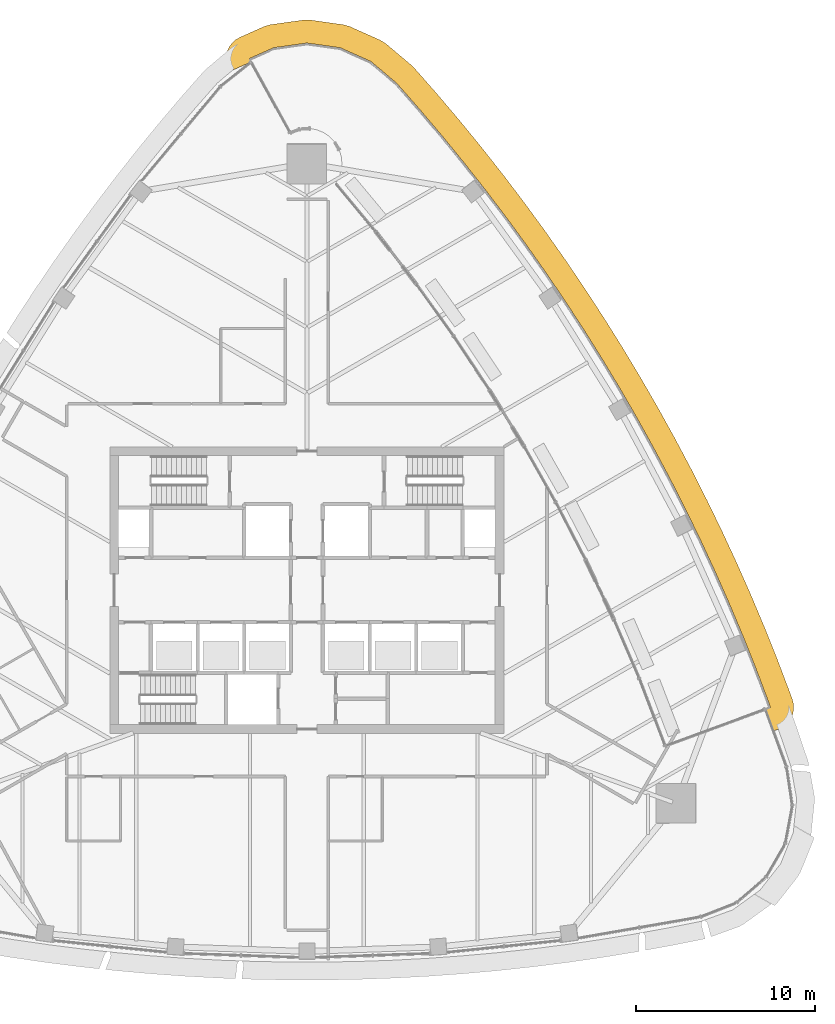
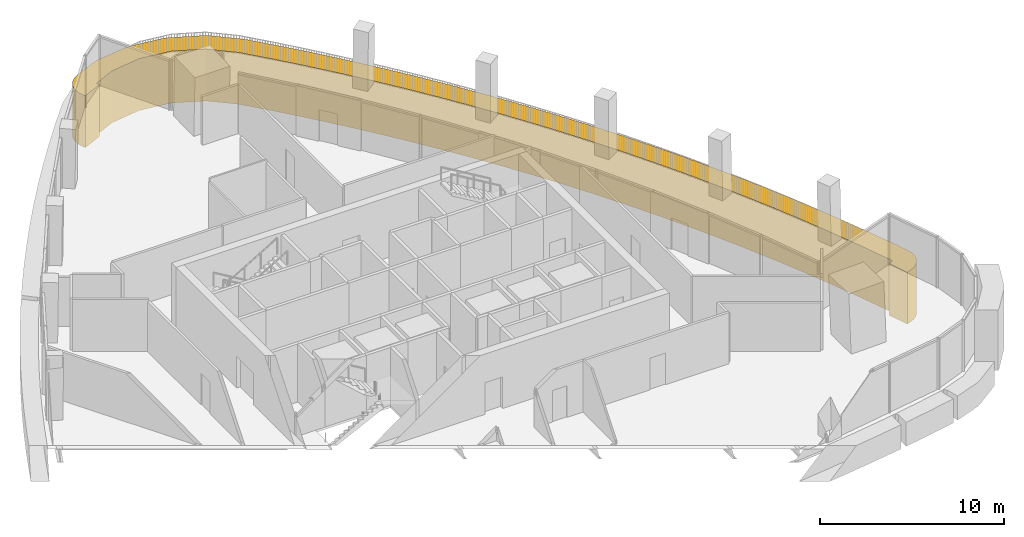
# One storey, part 17 of 18: 1 covering.
"""IFC4 building model written with IfcOpenShell, lengths in metres."""

from ifc_helpers import new_model, si_unit, direction, frame, origin, place, context, subcontext, project, spatial, polyline, outline, extrude, material, layer, layer_set, type_object, element, save


model = new_model("IFC4")

# Units and contexts
model_context = context("Model", 3, precision=1e-05, world=origin(), true_north=direction((0.0, 1.0)))
body_context = subcontext(model_context, "Body", "Model", "MODEL_VIEW")
ifc_project = project(units=[si_unit("LENGTHUNIT", "METRE"), si_unit("AREAUNIT", "SQUARE_METRE"), si_unit("VOLUMEUNIT", "CUBIC_METRE"), si_unit("PLANEANGLEUNIT", "RADIAN"), si_unit("MASSUNIT", "GRAM", prefix="KILO")], contexts=[model_context])

# Site, building, storey
site_placement = place(None, origin())
site = spatial("IfcSite", under=ifc_project, at=site_placement, CompositionType="ELEMENT")
building_placement = place(site_placement, origin())
building = spatial("IfcBuilding", under=site, at=building_placement, Name="Sierra Prisma Convention Tower", CompositionType="ELEMENT")
storey_placement = place(building_placement, frame((0.0, 0.0, 291.0)))
storey = spatial("IfcBuildingStorey", under=building, at=storey_placement, Name="L66", CompositionType="ELEMENT", Elevation=291.0)

# Covering
ifc_material = material(Name="Aluminium composite bronze anodised", Category="aluminium")
ifc_layer = layer(ifc_material, 1.300048828125)
ifc_layer_set = layer_set([ifc_layer], Name="Terrace fascia")
covering_type = type_object("IfcCoveringType", Name="Terrace fascia", PredefinedType="CLADDING", material=ifc_layer_set)
covering_placement = place(storey_placement, frame((0.0, 0.0, -3.39990234375)))
element("IfcCovering", 1, at=covering_placement, inside=storey, type_object=covering_type, Name="Terrace fascia L66.1", PredefinedType="CLADDING", context=body_context, shape_type="SweptSolid", body=[
    extrude(outline(polyline([(-4.34912109375, 29.03662109375), (-4.452880859375, 29.283447265625), (-4.503662109375, 29.54638671875), (-4.49951171875, 29.814208984375), (-4.440673828125, 30.075439453125), (-4.32958984375, 30.319091796875), (-4.1708984375, 30.534912109375), (-3.97119140625, 30.71337890625), (-3.7392578125, 30.847412109375), (-2.3876953125, 31.45166015625), (-2.03857421875, 31.552001953125), (-0.181640625, 31.81396484375), (0.181640625, 31.81396484375), (2.03857421875, 31.552001953125), (2.3876953125, 31.45166015625), (4.099853515625, 30.686279296875), (4.4072265625, 30.4931640625), (5.841064453125, 29.2841796875), (5.979248046875, 29.148681640625), (7.251220703125, 27.70166015625), (7.2666015625, 27.68408203125), (8.51220703125, 26.21435546875), (8.527099609375, 26.1962890625), (9.746337890625, 24.70458984375), (9.760986328125, 24.6865234375), (10.953125, 23.173095703125), (10.967529296875, 23.154541015625), (12.13232421875, 21.6201171875), (12.146240234375, 21.601318359375), (13.283447265625, 20.046142578125), (13.297119140625, 20.027099609375), (14.406005859375, 18.451904296875), (14.419189453125, 18.4326171875), (15.499755859375, 16.837646484375), (15.5126953125, 16.818115234375), (16.564453125, 15.2041015625), (16.576904296875, 15.184326171875), (17.599609375, 13.551513671875), (17.61181640625, 13.531494140625), (18.604736328125, 11.880615234375), (18.61669921875, 11.860595703125), (19.579833984375, 10.192138671875), (19.59130859375, 10.171875), (20.524658203125, 8.486328125), (20.53564453125, 8.4658203125), (21.4384765625, 6.763916015625), (21.44921875, 6.7431640625), (22.3212890625, 5.025390625), (22.331787109375, 5.00439453125), (23.172607421875, 3.27099609375), (23.1826171875, 3.25), (23.99267578125, 1.501953125), (24.002197265625, 1.480712890625), (24.780517578125, -0.28173828125), (24.789794921875, -0.302978515625), (25.536376953125, -2.0791015625), (25.545166015625, -2.100830078125), (26.259521484375, -3.889892578125), (26.26806640625, -3.91162109375), (26.950439453125, -5.71337890625), (26.95849609375, -5.7353515625), (27.08935546875, -6.1005859375), (27.151123046875, -6.346435546875), (27.1640625, -6.599853515625), (27.12744140625, -6.850830078125), (27.04296875, -7.090087890625), (26.913330078125, -7.308349609375), (26.743896484375, -7.4970703125), (26.541259765625, -7.6494140625), (26.312744140625, -7.759521484375), (26.012451171875, -7.86962890625), (25.573974609375, -6.645751953125), (25.865478515625, -6.5390625), (25.734619140625, -6.173828125), (25.052490234375, -4.3720703125), (24.337890625, -2.5830078125), (23.59130859375, -0.806884765625), (22.81298828125, 0.95556640625), (22.003173828125, 2.70361328125), (21.162109375, 4.436767578125), (20.2900390625, 6.15478515625), (19.38720703125, 7.856689453125), (18.4541015625, 9.542236328125), (17.49072265625, 11.210693359375), (16.497802734375, 12.861572265625), (15.47509765625, 14.494384765625), (14.423583984375, 16.1083984375), (13.343017578125, 17.70361328125), (12.23388671875, 19.27880859375), (11.096923828125, 20.833984375), (9.931884765625, 22.36865234375), (8.73974609375, 23.882080078125), (7.520751953125, 25.373779296875), (6.27490234375, 26.843505859375), (5.0029296875, 28.290283203125), (3.569091796875, 29.49951171875), (1.857177734375, 30.264892578125), (0.0, 30.526611328125), (-1.857177734375, 30.264892578125), (-3.208740234375, 29.66064453125), (-3.10888671875, 29.478515625), (-4.2998046875, 28.946044921875), (-4.34912109375, 29.03662109375)])), origin(), (0.0, 0.0, 1.0), 3.43994140625),
])

save(model, "model.ifc")
